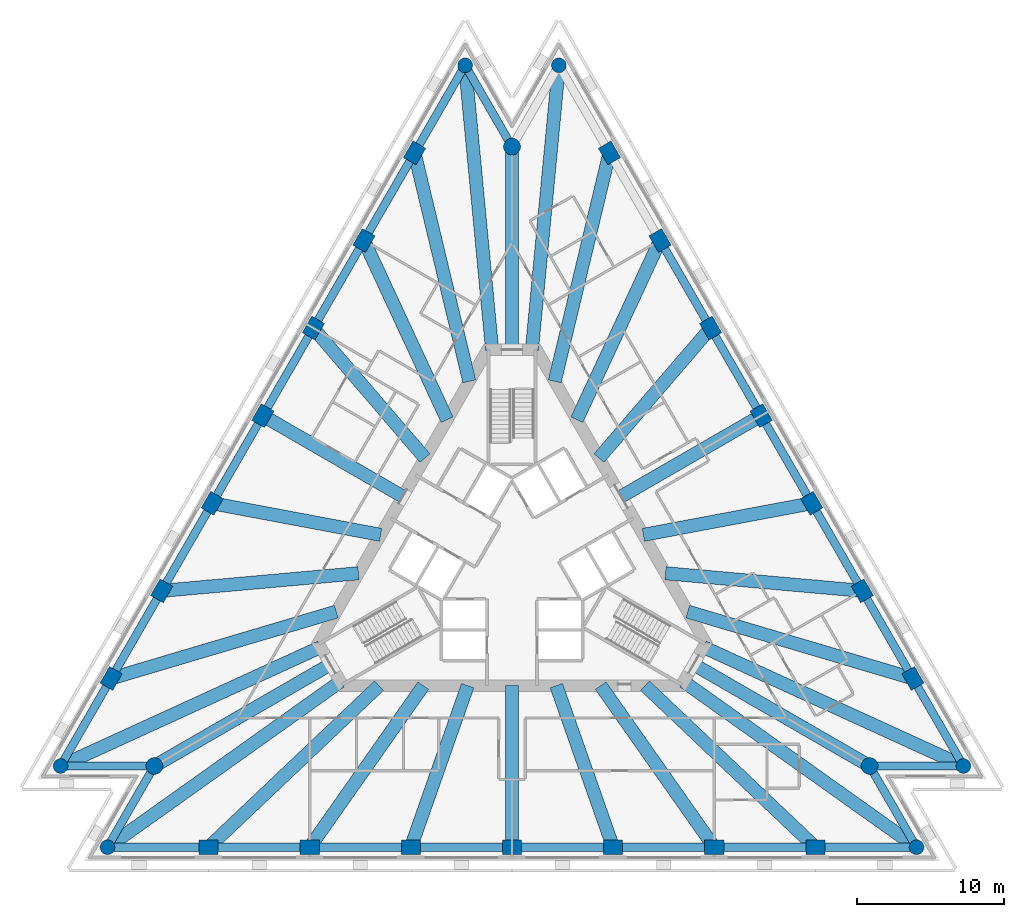
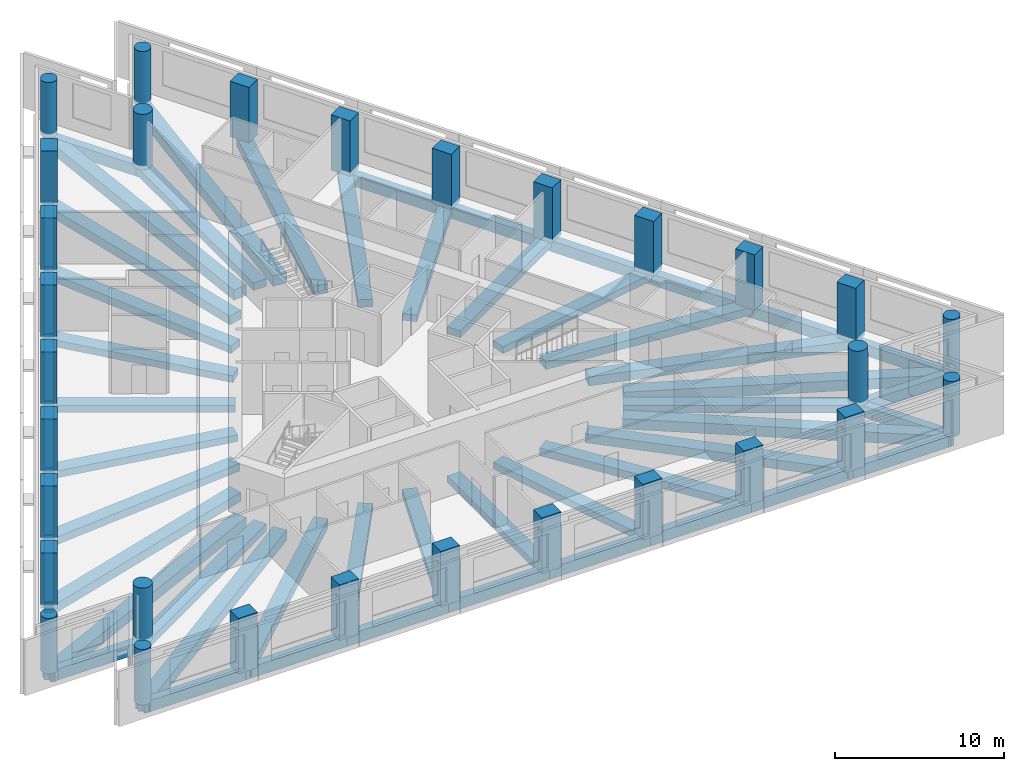
# One storey, part 1 of 10: 57 beams, 30 columns.
"""IFC4 building model written with IfcOpenShell, lengths in metres."""

from ifc_helpers import new_model, si_unit, direction, frame, origin, origin_2d, place, context, subcontext, project, spatial, rectangle, circle, extrude, material, material_profile, profile_set, type_object, element, save


model = new_model("IFC4")

# Units and contexts
model_context = context("Model", 3, precision=1e-05, world=origin(), true_north=direction((0.0, 1.0)))
body_context = subcontext(model_context, "Body", "Model", "MODEL_VIEW")
ifc_project = project(units=[si_unit("LENGTHUNIT", "METRE"), si_unit("AREAUNIT", "SQUARE_METRE"), si_unit("VOLUMEUNIT", "CUBIC_METRE"), si_unit("PLANEANGLEUNIT", "RADIAN"), si_unit("MASSUNIT", "GRAM", prefix="KILO")], contexts=[model_context])

# Site, building, storey
site_placement = place(None, origin())
site = spatial("IfcSite", under=ifc_project, at=site_placement, CompositionType="ELEMENT")
building_placement = place(site_placement, origin())
building = spatial("IfcBuilding", under=site, at=building_placement, Name="Triada Interchange Tower", CompositionType="ELEMENT")
storey_placement = place(building_placement, frame((0.0, 0.0, 120.300048828125)))
storey = spatial("IfcBuildingStorey", under=building, at=storey_placement, Name="L27", CompositionType="ELEMENT", Elevation=120.300048828125)

# Columns
ifc_material_1 = material(Name="Concrete C60/75", Category="concrete")
ifc_material_profile_1 = material_profile(ifc_material_1, rectangle(XDim=1.300048828125, YDim=1.0, at=origin_2d()), Name="RC 1300x1000")
ifc_profile_set_1 = profile_set([ifc_material_profile_1], Name="Concrete C60/75")
column_type_1 = type_object("IfcColumnType", Name="Column B face RC 1300x1000", PredefinedType="COLUMN", material=ifc_profile_set_1)
for number, where, z_axis, x_axis, name in (
    (1, (-6.64794921875, 27.73291015625, -0.300048828125), (0.0, 0.0, 1.0), (0.5, 0.866025403784, 0.0), "Column CB02 L27"),
    (2, (-10.096923828125, 21.760009765625, -0.300048828125), (0.0, 0.0, 1.0), (0.5, 0.866025403784, 0.0), "Column CB03 L27"),
    (3, (-13.5458984375, 15.785888671875, -0.300048828125), (0.0, 0.0, 1.0), (0.5, 0.866025403784, 0.0), "Column CB04 L27"),
    (4, (-16.9951171875, 9.81201171875, -0.300048828125), (0.0, 0.0, 1.0), (0.5, 0.866025403784, 0.0), "Column CB05 L27"),
    (5, (-20.443115234375, 3.837890625, -0.300048828125), (0.0, 0.0, 1.0), (0.5, 0.866025403784, 0.0), "Column CB06 L27"),
    (6, (-23.89208984375, -2.135986328125, -0.300048828125), (0.0, 0.0, 1.0), (0.5, 0.866025403784, 0.0), "Column CB07 L27"),
    (7, (-27.341064453125, -8.10888671875, -0.300048828125), (0.0, 0.0, 1.0), (0.5, 0.866025403784, 0.0), "Column CB08 L27"),
    (8, (-20.693115234375, -19.6240234375, -0.300048828125), (0.0, 0.0, 1.0), (1.0, 0.0, 0.0), "Column CB11 L27"),
    (9, (-13.7958984375, -19.6240234375, -0.300048828125), (0.0, 0.0, 1.0), (1.0, 0.0, 0.0), "Column CB12 L27"),
    (10, (-6.89794921875, -19.6240234375, -0.300048828125), (0.0, 0.0, 1.0), (1.0, 0.0, 0.0), "Column CB13 L27"),
    (11, (0.0, -19.6240234375, -0.300048828125), (0.0, 0.0, 1.0), (1.0, 0.0, 0.0), "Column CB14 L27"),
    (12, (6.89794921875, -19.6240234375, -0.300048828125), (0.0, 0.0, 1.0), (1.0, 0.0, 0.0), "Column CB15 L27"),
    (13, (13.794921875, -19.6240234375, -0.300048828125), (0.0, 0.0, 1.0), (1.0, 0.0, 0.0), "Column CB16 L27"),
    (14, (20.693115234375, -19.6240234375, -0.300048828125), (0.0, 0.0, 1.0), (1.0, 0.0, 0.0), "Column CB17 L27"),
    (15, (27.341064453125, -8.10888671875, -0.300048828125), (0.0, 0.0, 1.0), (-0.5, 0.866025403784, 0.0), "Column CB20 L27"),
    (16, (23.89208984375, -2.135986328125, -0.300048828125), (0.0, 0.0, 1.0), (-0.5, 0.866025403784, 0.0), "Column CB21 L27"),
    (17, (20.443115234375, 3.837890625, -0.300048828125), (0.0, 0.0, 1.0), (-0.5, 0.866025403784, 0.0), "Column CB22 L27"),
    (18, (16.993896484375, 9.81201171875, -0.300048828125), (0.0, 0.0, 1.0), (-0.5, 0.866025403784, 0.0), "Column CB23 L27"),
    (19, (13.5458984375, 15.785888671875, -0.300048828125), (0.0, 0.0, 1.0), (-0.5, 0.866025403784, 0.0), "Column CB24 L27"),
    (20, (10.096923828125, 21.760009765625, -0.300048828125), (0.0, 0.0, 1.0), (-0.5, 0.866025403784, 0.0), "Column CB25 L27"),
    (21, (6.64794921875, 27.73291015625, -0.300048828125), (0.0, 0.0, 1.0), (-0.5, 0.866025403784, 0.0), "Column CB26 L27"),
):
    element("IfcColumn", number, at=place(storey_placement, frame(where, z_axis=z_axis, x_axis=x_axis)), inside=storey, type_object=column_type_1, Name=name, PredefinedType="COLUMN", context=body_context, shape_type="SweptSolid", body=[
        extrude(rectangle(XDim=1.300048828125, YDim=1.0, at=origin_2d()), origin(), (0.0, 0.0, 1.0), 4.0),
    ])
ifc_material_profile_2 = material_profile(ifc_material_1, circle(Radius=0.5, at=origin_2d()), Name="RC D1000")
ifc_profile_set_2 = profile_set([ifc_material_profile_2], Name="Concrete C60/75")
column_type_2 = type_object("IfcColumnType", Name="End column B RC D1000", PredefinedType="COLUMN", material=ifc_profile_set_2)
for number, where, z_axis, x_axis, name in (
    (22, (-3.198974609375, 33.70703125, -0.300048828125), (0.0, 0.0, 1.0), (0.5, 0.866025403784, 0.0), "Column CB01 L27"),
    (23, (-30.7900390625, -14.0830078125, -0.300048828125), (0.0, 0.0, 1.0), (0.5, 0.866025403784, 0.0), "Column CB09 L27"),
    (24, (-27.591064453125, -19.6240234375, -0.300048828125), (0.0, 0.0, 1.0), (1.0, 0.0, 0.0), "Column CB10 L27"),
    (25, (27.591064453125, -19.6240234375, -0.300048828125), (0.0, 0.0, 1.0), (1.0, 0.0, 0.0), "Column CB18 L27"),
    (26, (30.7900390625, -14.0830078125, -0.300048828125), (0.0, 0.0, 1.0), (-0.5, 0.866025403784, 0.0), "Column CB19 L27"),
    (27, (3.198974609375, 33.70703125, -0.300048828125), (0.0, 0.0, 1.0), (-0.5, 0.866025403784, 0.0), "Column CB27 L27"),
):
    element("IfcColumn", number, at=place(storey_placement, frame(where, z_axis=z_axis, x_axis=x_axis)), inside=storey, type_object=column_type_2, Name=name, PredefinedType="COLUMN", context=body_context, shape_type="SweptSolid", body=[
        extrude(circle(Radius=0.5, at=origin_2d()), origin(), (0.0, 0.0, 1.0), 4.0),
    ])
ifc_material_profile_3 = material_profile(ifc_material_1, circle(Radius=0.574951171875, at=origin_2d()), Name="RC D1150")
ifc_profile_set_3 = profile_set([ifc_material_profile_3], Name="Concrete C60/75")
column_type_3 = type_object("IfcColumnType", Name="Mega column B RC D1150", PredefinedType="COLUMN", material=ifc_profile_set_3)
for number, where, z_axis, x_axis, name in (
    (28, (0.0, 28.1650390625, -0.300048828125), (0.0, 0.0, 1.0), (1.0, 0.0, 0.0), "Column MB1 L27"),
    (29, (-24.39111328125, -14.0830078125, -0.300048828125), (0.0, 0.0, 1.0), (1.0, 0.0, 0.0), "Column MB2 L27"),
    (30, (24.39111328125, -14.0830078125, -0.300048828125), (0.0, 0.0, 1.0), (1.0, 0.0, 0.0), "Column MB3 L27"),
):
    element("IfcColumn", number, at=place(storey_placement, frame(where, z_axis=z_axis, x_axis=x_axis)), inside=storey, type_object=column_type_3, Name=name, PredefinedType="COLUMN", context=body_context, shape_type="SweptSolid", body=[
        extrude(circle(Radius=0.574951171875, at=origin_2d()), origin(), (0.0, 0.0, 1.0), 4.0),
    ])

# Beams
ifc_material_2 = material(Name="Concrete C50/60", Category="concrete")
ifc_material_profile_4 = material_profile(ifc_material_2, rectangle(XDim=0.89990234375, YDim=0.5, at=origin_2d()), Name="RC 900x500")
ifc_profile_set_4 = profile_set([ifc_material_profile_4], Name="Concrete C50/60")
beam_type_1 = type_object("IfcBeamType", Name="Radial band beam B RC 900x500", PredefinedType="BEAM", material=ifc_profile_set_4)
beam_1_placement = place(storey_placement, frame((-13.5458984375, 15.785888671875, -0.550048828125), z_axis=(0.65122485191, -0.758884834646, 0.0), x_axis=(0.758884834646, 0.65122485191, 0.0)))
element("IfcBeam", 31, at=beam_1_placement, inside=storey, type_object=beam_type_1, Name="Radial band beam BB04 L27", PredefinedType="BEAM", context=body_context, shape_type="SweptSolid", body=[
    extrude(rectangle(XDim=0.89990234375, YDim=0.5, at=origin_2d()), origin(), (0.0, 0.0, 1.0), 11.685546875),
])
beam_2_placement = place(storey_placement, frame((-16.9951171875, 9.81201171875, -0.550048828125), z_axis=(0.866028110691, -0.499995311471, 0.0), x_axis=(0.499995311471, 0.866028110691, 0.0)))
element("IfcBeam", 32, at=beam_2_placement, inside=storey, type_object=beam_type_1, Name="Radial band beam BB05 L27", PredefinedType="BEAM", context=body_context, shape_type="SweptSolid", body=[
    extrude(rectangle(XDim=0.89990234375, YDim=0.5, at=origin_2d()), origin(), (0.0, 0.0, 1.0), 11.02392578125),
])
beam_3_placement = place(storey_placement, frame((-20.443115234375, 3.837890625, -0.550048828125), z_axis=(0.982829821209, -0.184514342377, 0.0), x_axis=(0.184514342377, 0.982829821209, 0.0)))
element("IfcBeam", 33, at=beam_3_placement, inside=storey, type_object=beam_type_1, Name="Radial band beam BB06 L27", PredefinedType="BEAM", context=body_context, shape_type="SweptSolid", body=[
    extrude(rectangle(XDim=0.89990234375, YDim=0.5, at=origin_2d()), origin(), (0.0, 0.0, 1.0), 11.684814453125),
])
beam_4_placement = place(storey_placement, frame((-6.89794921875, -19.6240234375, -0.550048828125), z_axis=(0.331617681755, 0.943413861011, 0.0), x_axis=(-0.943413861011, 0.331617681755, 0.0)))
element("IfcBeam", 34, at=beam_4_placement, inside=storey, type_object=beam_type_1, Name="Radial band beam BB14 L27", PredefinedType="BEAM", context=body_context, shape_type="SweptSolid", body=[
    extrude(rectangle(XDim=0.89990234375, YDim=0.5, at=origin_2d()), origin(), (0.0, 0.0, 1.0), 11.68505859375),
])
beam_5_placement = place(storey_placement, frame((0.0, -19.6240234375, -0.550048828125), z_axis=(0.0, 1.0, 0.0), x_axis=(-1.0, 0.0, 0.0)))
element("IfcBeam", 35, at=beam_5_placement, inside=storey, type_object=beam_type_1, Name="Radial band beam BB15 L27", PredefinedType="BEAM", context=body_context, shape_type="SweptSolid", body=[
    extrude(rectangle(XDim=0.89990234375, YDim=0.5, at=origin_2d()), origin(), (0.0, 0.0, 1.0), 11.02392578125),
])
beam_6_placement = place(storey_placement, frame((6.89794921875, -19.6240234375, -0.550048828125), z_axis=(-0.331617681755, 0.943413861011, 0.0), x_axis=(-0.943413861011, -0.331617681755, 0.0)))
element("IfcBeam", 36, at=beam_6_placement, inside=storey, type_object=beam_type_1, Name="Radial band beam BB16 L27", PredefinedType="BEAM", context=body_context, shape_type="SweptSolid", body=[
    extrude(rectangle(XDim=0.89990234375, YDim=0.5, at=origin_2d()), origin(), (0.0, 0.0, 1.0), 11.68505859375),
])
beam_7_placement = place(storey_placement, frame((20.443115234375, 3.837890625, -0.550048828125), z_axis=(-0.982829821209, -0.184514342377, 0.0), x_axis=(0.184514342377, -0.982829821209, 0.0)))
element("IfcBeam", 37, at=beam_7_placement, inside=storey, type_object=beam_type_1, Name="Radial band beam BB24 L27", PredefinedType="BEAM", context=body_context, shape_type="SweptSolid", body=[
    extrude(rectangle(XDim=0.89990234375, YDim=0.5, at=origin_2d()), origin(), (0.0, 0.0, 1.0), 11.684814453125),
])
beam_8_placement = place(storey_placement, frame((16.993896484375, 9.81201171875, -0.550048828125), z_axis=(-0.866022574079, -0.500004901161, 0.0), x_axis=(0.500004901161, -0.866022574079, 0.0)))
element("IfcBeam", 38, at=beam_8_placement, inside=storey, type_object=beam_type_1, Name="Radial band beam BB25 L27", PredefinedType="BEAM", context=body_context, shape_type="SweptSolid", body=[
    extrude(rectangle(XDim=0.89990234375, YDim=0.5, at=origin_2d()), origin(), (0.0, 0.0, 1.0), 11.02392578125),
])
beam_9_placement = place(storey_placement, frame((13.5458984375, 15.785888671875, -0.550048828125), z_axis=(-0.65122485191, -0.758884834646, 0.0), x_axis=(0.758884834646, -0.65122485191, 0.0)))
element("IfcBeam", 39, at=beam_9_placement, inside=storey, type_object=beam_type_1, Name="Radial band beam BB26 L27", PredefinedType="BEAM", context=body_context, shape_type="SweptSolid", body=[
    extrude(rectangle(XDim=0.89990234375, YDim=0.5, at=origin_2d()), origin(), (0.0, 0.0, 1.0), 11.685546875),
])
ifc_material_profile_5 = material_profile(ifc_material_2, rectangle(XDim=0.89990234375, YDim=0.550048828125, at=origin_2d()), Name="RC 900x550")
ifc_profile_set_5 = profile_set([ifc_material_profile_5], Name="Concrete C50/60")
beam_type_2 = type_object("IfcBeamType", Name="Radial band beam B RC 900x550", PredefinedType="BEAM", material=ifc_profile_set_5)
beam_10_placement = place(storey_placement, frame((-10.096923828125, 21.760009765625, -0.574951171875), z_axis=(0.420890926073, -0.90711125467, 0.0), x_axis=(0.90711125467, 0.420890926073, 0.0)))
element("IfcBeam", 40, at=beam_10_placement, inside=storey, type_object=beam_type_2, Name="Radial band beam BB03 L27", PredefinedType="BEAM", context=body_context, shape_type="SweptSolid", body=[
    extrude(rectangle(XDim=0.89990234375, YDim=0.550048828125, at=origin_2d()), origin(), (0.0, 0.0, 1.0), 13.475830078125),
])
beam_11_placement = place(storey_placement, frame((-23.89208984375, -2.135986328125, -0.574951171875), z_axis=(0.996026950765, 0.089052306823, 0.0), x_axis=(-0.089052306823, 0.996026950765, 0.0)))
element("IfcBeam", 41, at=beam_11_placement, inside=storey, type_object=beam_type_2, Name="Radial band beam BB07 L27", PredefinedType="BEAM", context=body_context, shape_type="SweptSolid", body=[
    extrude(rectangle(XDim=0.89990234375, YDim=0.550048828125, at=origin_2d()), origin(), (0.0, 0.0, 1.0), 13.474609375),
])
beam_12_placement = place(storey_placement, frame((-24.39111328125, -14.0830078125, -0.574951171875), z_axis=(0.865999963625, 0.500044061061, 0.0), x_axis=(-0.500044061061, 0.865999963625, 0.0)))
element("IfcBeam", 42, at=beam_12_placement, inside=storey, type_object=beam_type_2, Name="Radial band beam BB10 L27", PredefinedType="BEAM", context=body_context, shape_type="SweptSolid", body=[
    extrude(rectangle(XDim=0.89990234375, YDim=0.550048828125, at=origin_2d()), origin(), (0.0, 0.0, 1.0), 13.864990234375),
])
beam_13_placement = place(storey_placement, frame((-13.7958984375, -19.6240234375, -0.574951171875), z_axis=(0.575117268958, 0.818070979162, 0.0), x_axis=(-0.818070979162, 0.575117268958, 0.0)))
element("IfcBeam", 43, at=beam_13_placement, inside=storey, type_object=beam_type_2, Name="Radial band beam BB13 L27", PredefinedType="BEAM", context=body_context, shape_type="SweptSolid", body=[
    extrude(rectangle(XDim=0.89990234375, YDim=0.550048828125, at=origin_2d()), origin(), (0.0, 0.0, 1.0), 13.4755859375),
])
beam_14_placement = place(storey_placement, frame((13.794921875, -19.6240234375, -0.574951171875), z_axis=(-0.575068766486, 0.818105075044, 0.0), x_axis=(-0.818105075044, -0.575068766486, 0.0)))
element("IfcBeam", 44, at=beam_14_placement, inside=storey, type_object=beam_type_2, Name="Radial band beam BB17 L27", PredefinedType="BEAM", context=body_context, shape_type="SweptSolid", body=[
    extrude(rectangle(XDim=0.89990234375, YDim=0.550048828125, at=origin_2d()), origin(), (0.0, 0.0, 1.0), 13.474853515625),
])
beam_15_placement = place(storey_placement, frame((24.39111328125, -14.0830078125, -0.574951171875), z_axis=(-0.865999963625, 0.500044061061, 0.0), x_axis=(-0.500044061061, -0.865999963625, 0.0)))
element("IfcBeam", 45, at=beam_15_placement, inside=storey, type_object=beam_type_2, Name="Radial band beam BB20 L27", PredefinedType="BEAM", context=body_context, shape_type="SweptSolid", body=[
    extrude(rectangle(XDim=0.89990234375, YDim=0.550048828125, at=origin_2d()), origin(), (0.0, 0.0, 1.0), 13.864990234375),
])
beam_16_placement = place(storey_placement, frame((23.89208984375, -2.135986328125, -0.574951171875), z_axis=(-0.996026950765, 0.089052306823, 0.0), x_axis=(-0.089052306823, -0.996026950765, 0.0)))
element("IfcBeam", 46, at=beam_16_placement, inside=storey, type_object=beam_type_2, Name="Radial band beam BB23 L27", PredefinedType="BEAM", context=body_context, shape_type="SweptSolid", body=[
    extrude(rectangle(XDim=0.89990234375, YDim=0.550048828125, at=origin_2d()), origin(), (0.0, 0.0, 1.0), 13.474609375),
])
beam_17_placement = place(storey_placement, frame((10.096923828125, 21.760009765625, -0.574951171875), z_axis=(-0.420890926073, -0.90711125467, 0.0), x_axis=(0.90711125467, -0.420890926073, 0.0)))
element("IfcBeam", 47, at=beam_17_placement, inside=storey, type_object=beam_type_2, Name="Radial band beam BB27 L27", PredefinedType="BEAM", context=body_context, shape_type="SweptSolid", body=[
    extrude(rectangle(XDim=0.89990234375, YDim=0.550048828125, at=origin_2d()), origin(), (0.0, 0.0, 1.0), 13.475830078125),
])
beam_18_placement = place(storey_placement, frame((0.0, 28.1650390625, -0.574951171875), z_axis=(0.0, -1.0, 0.0), x_axis=(1.0, 0.0, 0.0)))
element("IfcBeam", 48, at=beam_18_placement, inside=storey, type_object=beam_type_2, Name="Radial band beam BB30 L27", PredefinedType="BEAM", context=body_context, shape_type="SweptSolid", body=[
    extrude(rectangle(XDim=0.89990234375, YDim=0.550048828125, at=origin_2d()), origin(), (0.0, 0.0, 1.0), 13.864990234375),
])
ifc_material_profile_6 = material_profile(ifc_material_2, rectangle(XDim=0.89990234375, YDim=0.64990234375, at=origin_2d()), Name="RC 900x650")
ifc_profile_set_6 = profile_set([ifc_material_profile_6], Name="Concrete C50/60")
beam_type_3 = type_object("IfcBeamType", Name="Radial band beam B RC 900x650", PredefinedType="BEAM", material=ifc_profile_set_6)
beam_19_placement = place(storey_placement, frame((-6.64794921875, 27.73291015625, -0.625), z_axis=(0.233119352919, -0.972448130902, 0.0), x_axis=(0.972448130902, 0.233119352919, 0.0)))
element("IfcBeam", 49, at=beam_19_placement, inside=storey, type_object=beam_type_3, Name="Radial band beam BB02 L27", PredefinedType="BEAM", context=body_context, shape_type="SweptSolid", body=[
    extrude(rectangle(XDim=0.89990234375, YDim=0.64990234375, at=origin_2d()), origin(), (0.0, 0.0, 1.0), 16.021240234375),
])
beam_20_placement = place(storey_placement, frame((-27.341064453125, -8.10888671875, -0.625), z_axis=(0.958728747557, 0.284322332234, 0.0), x_axis=(-0.284322332234, 0.958728747557, 0.0)))
element("IfcBeam", 50, at=beam_20_placement, inside=storey, type_object=beam_type_3, Name="Radial band beam BB08 L27", PredefinedType="BEAM", context=body_context, shape_type="SweptSolid", body=[
    extrude(rectangle(XDim=0.89990234375, YDim=0.64990234375, at=origin_2d()), origin(), (0.0, 0.0, 1.0), 16.020263671875),
])
for number, where, z_axis, x_axis, name in (
    (51, (-20.693115234375, -19.6240234375, -0.625), (0.725617029515, 0.688098776687, 0.0), (-0.688098776687, 0.725617029515, 0.0), "Radial band beam BB12 L27"),
    (52, (20.693115234375, -19.6240234375, -0.625), (-0.725617029515, 0.688098776687, 0.0), (-0.688098776687, -0.725617029515, 0.0), "Radial band beam BB18 L27"),
):
    element("IfcBeam", number, at=place(storey_placement, frame(where, z_axis=z_axis, x_axis=x_axis)), inside=storey, type_object=beam_type_3, Name=name, PredefinedType="BEAM", context=body_context, shape_type="SweptSolid", body=[
        extrude(rectangle(XDim=0.89990234375, YDim=0.64990234375, at=origin_2d()), origin(), (0.0, 0.0, 1.0), 16.020751953125),
    ])
beam_21_placement = place(storey_placement, frame((27.341064453125, -8.10888671875, -0.625), z_axis=(-0.958728747557, 0.284322332234, 0.0), x_axis=(-0.284322332234, -0.958728747557, 0.0)))
element("IfcBeam", 53, at=beam_21_placement, inside=storey, type_object=beam_type_3, Name="Radial band beam BB22 L27", PredefinedType="BEAM", context=body_context, shape_type="SweptSolid", body=[
    extrude(rectangle(XDim=0.89990234375, YDim=0.64990234375, at=origin_2d()), origin(), (0.0, 0.0, 1.0), 16.020263671875),
])
beam_22_placement = place(storey_placement, frame((6.64794921875, 27.73291015625, -0.625), z_axis=(-0.233119352919, -0.972448130902, 0.0), x_axis=(0.972448130902, -0.233119352919, 0.0)))
element("IfcBeam", 54, at=beam_22_placement, inside=storey, type_object=beam_type_3, Name="Radial band beam BB28 L27", PredefinedType="BEAM", context=body_context, shape_type="SweptSolid", body=[
    extrude(rectangle(XDim=0.89990234375, YDim=0.64990234375, at=origin_2d()), origin(), (0.0, 0.0, 1.0), 16.021240234375),
])
ifc_material_profile_7 = material_profile(ifc_material_2, rectangle(XDim=0.89990234375, YDim=0.75, at=origin_2d()), Name="RC 900x750")
ifc_profile_set_7 = profile_set([ifc_material_profile_7], Name="Concrete C50/60")
beam_type_4 = type_object("IfcBeamType", Name="Radial band beam B RC 900x750", PredefinedType="BEAM", material=ifc_profile_set_7)
for number, where, z_axis, x_axis, name in (
    (55, (-3.198974609375, 33.70703125, -0.675048828125), (0.094491716209, -0.99552564787, 0.0), (0.99552564787, 0.094491716209, 0.0), "Radial band beam BB01 L27"),
    (56, (-30.7900390625, -14.0830078125, -0.675048828125), (0.909403293922, 0.415915434918, 0.0), (-0.415915434918, 0.909403293922, 0.0), "Radial band beam BB09 L27"),
):
    element("IfcBeam", number, at=place(storey_placement, frame(where, z_axis=z_axis, x_axis=x_axis)), inside=storey, type_object=beam_type_4, Name=name, PredefinedType="BEAM", context=body_context, shape_type="SweptSolid", body=[
        extrude(rectangle(XDim=0.89990234375, YDim=0.75, at=origin_2d()), origin(), (0.0, 0.0, 1.0), 19.494140625),
    ])
for number, where, z_axis, x_axis, name in (
    (57, (-27.591064453125, -19.6240234375, -0.675048828125), (0.814897882072, 0.579604556396, 0.0), (-0.579604556396, 0.814897882072, 0.0), "Radial band beam BB11 L27"),
    (58, (27.591064453125, -19.6240234375, -0.675048828125), (-0.814897882072, 0.579604556396, 0.0), (-0.579604556396, -0.814897882072, 0.0), "Radial band beam BB19 L27"),
):
    element("IfcBeam", number, at=place(storey_placement, frame(where, z_axis=z_axis, x_axis=x_axis)), inside=storey, type_object=beam_type_4, Name=name, PredefinedType="BEAM", context=body_context, shape_type="SweptSolid", body=[
        extrude(rectangle(XDim=0.89990234375, YDim=0.75, at=origin_2d()), origin(), (0.0, 0.0, 1.0), 19.494384765625),
    ])
for number, where, z_axis, x_axis, name in (
    (59, (30.7900390625, -14.0830078125, -0.675048828125), (-0.909403293922, 0.415915434918, 0.0), (-0.415915434918, -0.909403293922, 0.0), "Radial band beam BB21 L27"),
    (60, (3.198974609375, 33.70703125, -0.675048828125), (-0.094491716209, -0.99552564787, 0.0), (0.99552564787, -0.094491716209, 0.0), "Radial band beam BB29 L27"),
):
    element("IfcBeam", number, at=place(storey_placement, frame(where, z_axis=z_axis, x_axis=x_axis)), inside=storey, type_object=beam_type_4, Name=name, PredefinedType="BEAM", context=body_context, shape_type="SweptSolid", body=[
        extrude(rectangle(XDim=0.89990234375, YDim=0.75, at=origin_2d()), origin(), (0.0, 0.0, 1.0), 19.494140625),
    ])
ifc_material_profile_8 = material_profile(ifc_material_2, rectangle(XDim=0.550048828125, YDim=0.800048828125, at=origin_2d()), Name="RC 550x800")
ifc_profile_set_8 = profile_set([ifc_material_profile_8], Name="Concrete C50/60")
beam_type_5 = type_object("IfcBeamType", Name="Spandrel beam B RC 550x800", PredefinedType="BEAM", material=ifc_profile_set_8)
beam_23_placement = place(storey_placement, frame((-3.198974609375, 33.70703125, -0.699951171875), z_axis=(-0.499979797689, -0.86603706728, 0.0), x_axis=(0.86603706728, -0.499979797689, 0.0)))
element("IfcBeam", 61, at=beam_23_placement, inside=storey, type_object=beam_type_5, Name="Spandrel beam EB01 L27", PredefinedType="BEAM", context=body_context, shape_type="SweptSolid", body=[
    extrude(rectangle(XDim=0.550048828125, YDim=0.800048828125, at=origin_2d()), origin(), (0.0, 0.0, 1.0), 6.898193359375),
])
beam_24_placement = place(storey_placement, frame((-6.64794921875, 27.73291015625, -0.699951171875), z_axis=(-0.500056430882, -0.865992820948, 0.0), x_axis=(0.865992820948, -0.500056430882, 0.0)))
element("IfcBeam", 62, at=beam_24_placement, inside=storey, type_object=beam_type_5, Name="Spandrel beam EB02 L27", PredefinedType="BEAM", context=body_context, shape_type="SweptSolid", body=[
    extrude(rectangle(XDim=0.550048828125, YDim=0.800048828125, at=origin_2d()), origin(), (0.0, 0.0, 1.0), 6.897216796875),
])
for number, where, z_axis, x_axis, name in (
    (63, (-10.096923828125, 21.760009765625, -0.699951171875), (-0.499979797689, -0.86603706728, 0.0), (0.86603706728, -0.499979797689, 0.0), "Spandrel beam EB03 L27"),
    (64, (-13.5458984375, 15.785888671875, -0.699951171875), (-0.500021666885, -0.866012894041, 0.0), (0.866012894041, -0.500021666885, 0.0), "Spandrel beam EB04 L27"),
):
    element("IfcBeam", number, at=place(storey_placement, frame(where, z_axis=z_axis, x_axis=x_axis)), inside=storey, type_object=beam_type_5, Name=name, PredefinedType="BEAM", context=body_context, shape_type="SweptSolid", body=[
        extrude(rectangle(XDim=0.550048828125, YDim=0.800048828125, at=origin_2d()), origin(), (0.0, 0.0, 1.0), 6.898193359375),
    ])
beam_25_placement = place(storey_placement, frame((-16.9951171875, 9.81201171875, -0.699951171875), z_axis=(-0.49987360819, -0.866098363833, 0.0), x_axis=(0.866098363833, -0.49987360819, 0.0)))
element("IfcBeam", 65, at=beam_25_placement, inside=storey, type_object=beam_type_5, Name="Spandrel beam EB05 L27", PredefinedType="BEAM", context=body_context, shape_type="SweptSolid", body=[
    extrude(rectangle(XDim=0.550048828125, YDim=0.800048828125, at=origin_2d()), origin(), (0.0, 0.0, 1.0), 6.897705078125),
])
beam_26_placement = place(storey_placement, frame((-20.443115234375, 3.837890625, -0.699951171875), z_axis=(-0.499995122762, -0.866028219641, 0.0), x_axis=(0.866028219641, -0.499995122762, 0.0)))
element("IfcBeam", 66, at=beam_26_placement, inside=storey, type_object=beam_type_5, Name="Spandrel beam EB06 L27", PredefinedType="BEAM", context=body_context, shape_type="SweptSolid", body=[
    extrude(rectangle(XDim=0.550048828125, YDim=0.800048828125, at=origin_2d()), origin(), (0.0, 0.0, 1.0), 6.89794921875),
])
beam_27_placement = place(storey_placement, frame((-23.89208984375, -2.135986328125, -0.699951171875), z_axis=(-0.500056430882, -0.865992820948, 0.0), x_axis=(0.865992820948, -0.500056430882, 0.0)))
element("IfcBeam", 67, at=beam_27_placement, inside=storey, type_object=beam_type_5, Name="Spandrel beam EB07 L27", PredefinedType="BEAM", context=body_context, shape_type="SweptSolid", body=[
    extrude(rectangle(XDim=0.550048828125, YDim=0.800048828125, at=origin_2d()), origin(), (0.0, 0.0, 1.0), 6.897216796875),
])
beam_28_placement = place(storey_placement, frame((-27.341064453125, -8.10888671875, -0.699951171875), z_axis=(-0.499979797689, -0.86603706728, 0.0), x_axis=(0.86603706728, -0.499979797689, 0.0)))
element("IfcBeam", 68, at=beam_28_placement, inside=storey, type_object=beam_type_5, Name="Spandrel beam EB08 L27", PredefinedType="BEAM", context=body_context, shape_type="SweptSolid", body=[
    extrude(rectangle(XDim=0.550048828125, YDim=0.800048828125, at=origin_2d()), origin(), (0.0, 0.0, 1.0), 6.898193359375),
])
beam_29_placement = place(storey_placement, frame((-30.7900390625, -14.0830078125, -0.699951171875), z_axis=(1.0, 0.0, 0.0), x_axis=(0.0, 1.0, 0.0)))
element("IfcBeam", 69, at=beam_29_placement, inside=storey, type_object=beam_type_5, Name="Spandrel beam EB09 L27", PredefinedType="BEAM", context=body_context, shape_type="SweptSolid", body=[
    extrude(rectangle(XDim=0.550048828125, YDim=0.800048828125, at=origin_2d()), origin(), (0.0, 0.0, 1.0), 6.39892578125),
])
beam_30_placement = place(storey_placement, frame((-24.39111328125, -14.0830078125, -0.699951171875), z_axis=(-0.500098960312, -0.865968261482, 0.0), x_axis=(0.865968261482, -0.500098960312, 0.0)))
element("IfcBeam", 70, at=beam_30_placement, inside=storey, type_object=beam_type_5, Name="Spandrel beam EB10 L27", PredefinedType="BEAM", context=body_context, shape_type="SweptSolid", body=[
    extrude(rectangle(XDim=0.550048828125, YDim=0.800048828125, at=origin_2d()), origin(), (0.0, 0.0, 1.0), 6.398681640625),
])
beam_31_placement = place(storey_placement, frame((-27.591064453125, -19.6240234375, -0.699951171875), z_axis=(1.0, 0.0, 0.0), x_axis=(0.0, 1.0, 0.0)))
element("IfcBeam", 71, at=beam_31_placement, inside=storey, type_object=beam_type_5, Name="Spandrel beam EB11 L27", PredefinedType="BEAM", context=body_context, shape_type="SweptSolid", body=[
    extrude(rectangle(XDim=0.550048828125, YDim=0.800048828125, at=origin_2d()), origin(), (0.0, 0.0, 1.0), 6.89794921875),
])
beam_32_placement = place(storey_placement, frame((-20.693115234375, -19.6240234375, -0.699951171875), z_axis=(1.0, 0.0, 0.0), x_axis=(0.0, 1.0, 0.0)))
element("IfcBeam", 72, at=beam_32_placement, inside=storey, type_object=beam_type_5, Name="Spandrel beam EB12 L27", PredefinedType="BEAM", context=body_context, shape_type="SweptSolid", body=[
    extrude(rectangle(XDim=0.550048828125, YDim=0.800048828125, at=origin_2d()), origin(), (0.0, 0.0, 1.0), 6.897216796875),
])
for number, where, z_axis, x_axis, name in (
    (73, (-13.7958984375, -19.6240234375, -0.699951171875), (1.0, 0.0, 0.0), (0.0, 1.0, 0.0), "Spandrel beam EB13 L27"),
    (74, (-6.89794921875, -19.6240234375, -0.699951171875), (1.0, 0.0, 0.0), (0.0, 1.0, 0.0), "Spandrel beam EB14 L27"),
    (75, (0.0, -19.6240234375, -0.699951171875), (1.0, 0.0, 0.0), (0.0, 1.0, 0.0), "Spandrel beam EB15 L27"),
):
    element("IfcBeam", number, at=place(storey_placement, frame(where, z_axis=z_axis, x_axis=x_axis)), inside=storey, type_object=beam_type_5, Name=name, PredefinedType="BEAM", context=body_context, shape_type="SweptSolid", body=[
        extrude(rectangle(XDim=0.550048828125, YDim=0.800048828125, at=origin_2d()), origin(), (0.0, 0.0, 1.0), 6.89794921875),
    ])
beam_33_placement = place(storey_placement, frame((6.89794921875, -19.6240234375, -0.699951171875), z_axis=(1.0, 0.0, 0.0), x_axis=(0.0, 1.0, 0.0)))
element("IfcBeam", 76, at=beam_33_placement, inside=storey, type_object=beam_type_5, Name="Spandrel beam EB16 L27", PredefinedType="BEAM", context=body_context, shape_type="SweptSolid", body=[
    extrude(rectangle(XDim=0.550048828125, YDim=0.800048828125, at=origin_2d()), origin(), (0.0, 0.0, 1.0), 6.89697265625),
])
beam_34_placement = place(storey_placement, frame((13.794921875, -19.6240234375, -0.699951171875), z_axis=(1.0, 0.0, 0.0), x_axis=(0.0, 1.0, 0.0)))
element("IfcBeam", 77, at=beam_34_placement, inside=storey, type_object=beam_type_5, Name="Spandrel beam EB17 L27", PredefinedType="BEAM", context=body_context, shape_type="SweptSolid", body=[
    extrude(rectangle(XDim=0.550048828125, YDim=0.800048828125, at=origin_2d()), origin(), (0.0, 0.0, 1.0), 6.898193359375),
])
beam_35_placement = place(storey_placement, frame((20.693115234375, -19.6240234375, -0.699951171875), z_axis=(1.0, 0.0, 0.0), x_axis=(0.0, 1.0, 0.0)))
element("IfcBeam", 78, at=beam_35_placement, inside=storey, type_object=beam_type_5, Name="Spandrel beam EB18 L27", PredefinedType="BEAM", context=body_context, shape_type="SweptSolid", body=[
    extrude(rectangle(XDim=0.550048828125, YDim=0.800048828125, at=origin_2d()), origin(), (0.0, 0.0, 1.0), 6.89794921875),
])
beam_36_placement = place(storey_placement, frame((27.591064453125, -19.6240234375, -0.699951171875), z_axis=(-0.500098960312, 0.865968261482, 0.0), x_axis=(-0.865968261482, -0.500098960312, 0.0)))
element("IfcBeam", 79, at=beam_36_placement, inside=storey, type_object=beam_type_5, Name="Spandrel beam EB19 L27", PredefinedType="BEAM", context=body_context, shape_type="SweptSolid", body=[
    extrude(rectangle(XDim=0.550048828125, YDim=0.800048828125, at=origin_2d()), origin(), (0.0, 0.0, 1.0), 6.398681640625),
])
beam_37_placement = place(storey_placement, frame((24.39111328125, -14.0830078125, -0.699951171875), z_axis=(1.0, 0.0, 0.0), x_axis=(0.0, 1.0, 0.0)))
element("IfcBeam", 80, at=beam_37_placement, inside=storey, type_object=beam_type_5, Name="Spandrel beam EB20 L27", PredefinedType="BEAM", context=body_context, shape_type="SweptSolid", body=[
    extrude(rectangle(XDim=0.550048828125, YDim=0.800048828125, at=origin_2d()), origin(), (0.0, 0.0, 1.0), 6.39892578125),
])
beam_38_placement = place(storey_placement, frame((30.7900390625, -14.0830078125, -0.699951171875), z_axis=(-0.499979797689, 0.86603706728, 0.0), x_axis=(-0.86603706728, -0.499979797689, 0.0)))
element("IfcBeam", 81, at=beam_38_placement, inside=storey, type_object=beam_type_5, Name="Spandrel beam EB21 L27", PredefinedType="BEAM", context=body_context, shape_type="SweptSolid", body=[
    extrude(rectangle(XDim=0.550048828125, YDim=0.800048828125, at=origin_2d()), origin(), (0.0, 0.0, 1.0), 6.898193359375),
])
beam_39_placement = place(storey_placement, frame((27.341064453125, -8.10888671875, -0.699951171875), z_axis=(-0.500056430882, 0.865992820948, 0.0), x_axis=(-0.865992820948, -0.500056430882, 0.0)))
element("IfcBeam", 82, at=beam_39_placement, inside=storey, type_object=beam_type_5, Name="Spandrel beam EB22 L27", PredefinedType="BEAM", context=body_context, shape_type="SweptSolid", body=[
    extrude(rectangle(XDim=0.550048828125, YDim=0.800048828125, at=origin_2d()), origin(), (0.0, 0.0, 1.0), 6.897216796875),
])
beam_40_placement = place(storey_placement, frame((23.89208984375, -2.135986328125, -0.699951171875), z_axis=(-0.499995122762, 0.866028219641, 0.0), x_axis=(-0.866028219641, -0.499995122762, 0.0)))
element("IfcBeam", 83, at=beam_40_placement, inside=storey, type_object=beam_type_5, Name="Spandrel beam EB23 L27", PredefinedType="BEAM", context=body_context, shape_type="SweptSolid", body=[
    extrude(rectangle(XDim=0.550048828125, YDim=0.800048828125, at=origin_2d()), origin(), (0.0, 0.0, 1.0), 6.89794921875),
])
beam_41_placement = place(storey_placement, frame((20.443115234375, 3.837890625, -0.699951171875), z_axis=(-0.500006341541, 0.866021742463, 0.0), x_axis=(-0.866021742463, -0.500006341541, 0.0)))
element("IfcBeam", 84, at=beam_41_placement, inside=storey, type_object=beam_type_5, Name="Spandrel beam EB24 L27", PredefinedType="BEAM", context=body_context, shape_type="SweptSolid", body=[
    extrude(rectangle(XDim=0.550048828125, YDim=0.800048828125, at=origin_2d()), origin(), (0.0, 0.0, 1.0), 6.8984375),
])
beam_42_placement = place(storey_placement, frame((16.993896484375, 9.81201171875, -0.699951171875), z_axis=(-0.499888932177, 0.866089519326, 0.0), x_axis=(-0.866089519326, -0.499888932177, 0.0)))
element("IfcBeam", 85, at=beam_42_placement, inside=storey, type_object=beam_type_5, Name="Spandrel beam EB25 L27", PredefinedType="BEAM", context=body_context, shape_type="SweptSolid", body=[
    extrude(rectangle(XDim=0.550048828125, YDim=0.800048828125, at=origin_2d()), origin(), (0.0, 0.0, 1.0), 6.8974609375),
])
beam_43_placement = place(storey_placement, frame((13.5458984375, 15.785888671875, -0.699951171875), z_axis=(-0.499979797689, 0.86603706728, 0.0), x_axis=(-0.86603706728, -0.499979797689, 0.0)))
element("IfcBeam", 86, at=beam_43_placement, inside=storey, type_object=beam_type_5, Name="Spandrel beam EB26 L27", PredefinedType="BEAM", context=body_context, shape_type="SweptSolid", body=[
    extrude(rectangle(XDim=0.550048828125, YDim=0.800048828125, at=origin_2d()), origin(), (0.0, 0.0, 1.0), 6.898193359375),
])
beam_44_placement = place(storey_placement, frame((0.0, 28.1650390625, -0.699951171875), z_axis=(-0.49991841402, 0.866072502348, 0.0), x_axis=(-0.866072502348, -0.49991841402, 0.0)))
element("IfcBeam", 87, at=beam_44_placement, inside=storey, type_object=beam_type_5, Name="Spandrel beam EB30 L27", PredefinedType="BEAM", context=body_context, shape_type="SweptSolid", body=[
    extrude(rectangle(XDim=0.550048828125, YDim=0.800048828125, at=origin_2d()), origin(), (0.0, 0.0, 1.0), 6.39892578125),
])

save(model, "model.ifc")
